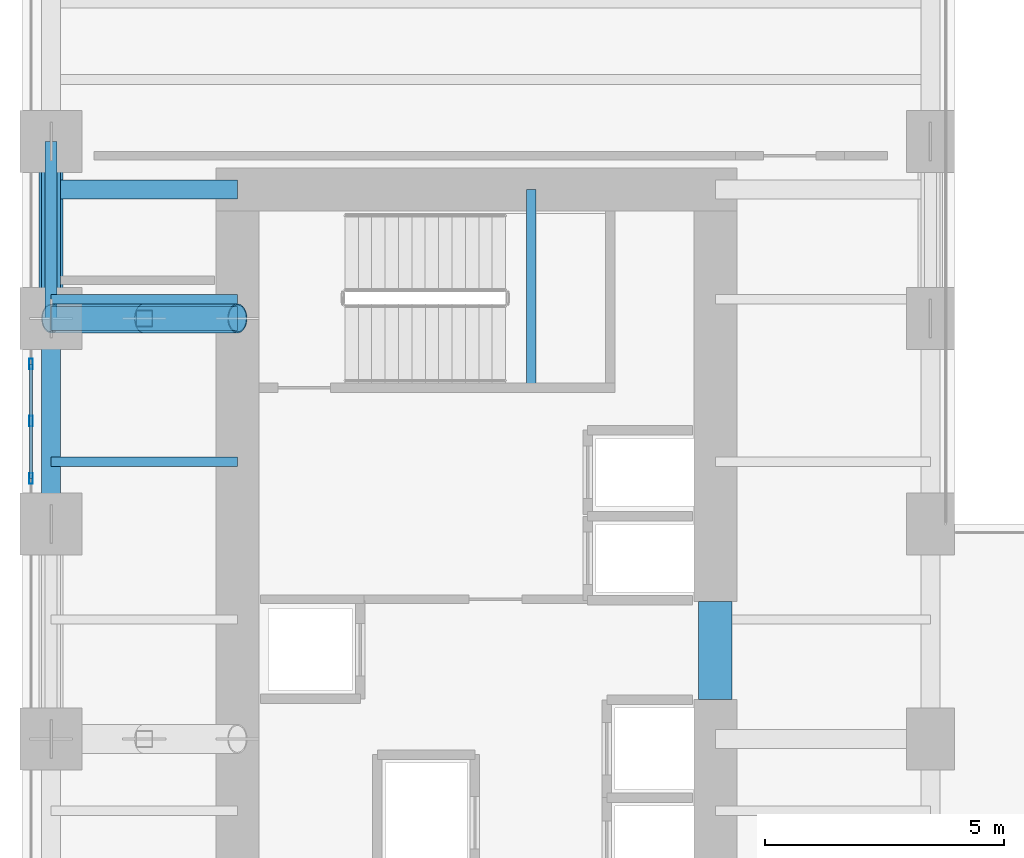
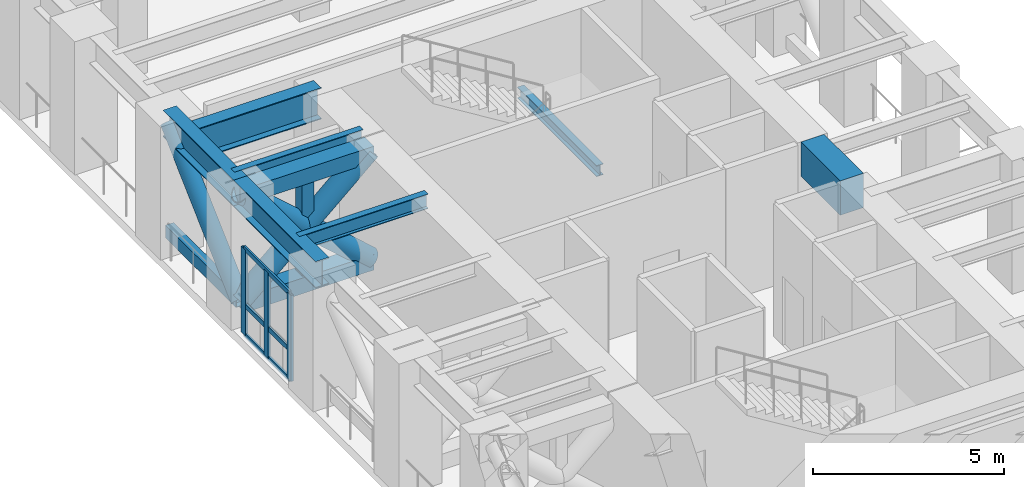
# One storey, part 4 of 16: 14 members, 7 beams, 1 element without a shape of its own.
"""IFC4 building model written with IfcOpenShell, lengths in metres."""

import ifcopenshell
import ifcopenshell.guid

model = None  # the IFC model being written
_history = None  # IfcOwnerHistory: only IFC2X3 demands one
_inside = {}  # id of a spatial element -> (the spatial element, [elements in it])
_under = {}  # id of a project, library or spatial element -> (it, [spatial elements below it])
_declared = {}  # id of a project -> (the project, [libraries it declares])
_typed = {}  # id of a type object -> (the type object, [elements of that type])
_made_of = {}  # id of a material, layer set ... -> (it, [elements and type objects made of it])


def new_model(schema):
    """Start an empty IFC model of exactly this schema.

    Asked for "IFC4X3", IfcOpenShell would pick the latest addendum, in which some entities
    have other attributes; the version numbers below select the first issue.
    IFC2X3 requires an IfcOwnerHistory on every rooted entity: one is made here for all.
    """
    global model, _history
    if schema == "IFC4X3":
        model = ifcopenshell.file(schema_version=(4, 3, 0, 0))
    else:
        model = ifcopenshell.file(schema=schema)
    _inside.clear()
    _under.clear()
    _declared.clear()
    _typed.clear()
    _made_of.clear()
    _history = None
    if model.schema == "IFC2X3":
        org = make("IfcOrganization", Name="unknown")
        user = make(
            "IfcPersonAndOrganization",
            ThePerson=make("IfcPerson", FamilyName="unknown"),
            TheOrganization=org,
        )
        app = make(
            "IfcApplication",
            ApplicationDeveloper=org,
            Version="unknown",
            ApplicationFullName="unknown",
            ApplicationIdentifier="unknown",
        )
        _history = make(
            "IfcOwnerHistory",
            OwningUser=user,
            OwningApplication=app,
            ChangeAction="ADDED",
            CreationDate=0,
        )
    return model


def make(cls, **values):
    """One entity of the class cls with the attributes given. An attribute that is None is left unset."""
    return model.create_entity(
        cls, **{name: value for name, value in values.items() if value is not None}
    )


def rooted(cls, **values):
    """An entity with a GlobalId (a new one), such as an element, a storey or a relation."""
    return make(cls, GlobalId=ifcopenshell.guid.new(), OwnerHistory=_history, **values)


def si_unit(unit_type, name, prefix=None):
    """IfcSIUnit, for example si_unit("LENGTHUNIT", "METRE", prefix="MILLI")."""
    return make("IfcSIUnit", UnitType=unit_type, Prefix=prefix, Name=name)


def assignment(units):
    """IfcUnitAssignment: the units of a project."""
    return None if units is None else make("IfcUnitAssignment", Units=units)


def point(xyz):
    """IfcCartesianPoint."""
    return None if xyz is None else make("IfcCartesianPoint", Coordinates=xyz)


def direction(xyz):
    """IfcDirection."""
    return None if xyz is None else make("IfcDirection", DirectionRatios=xyz)


def frame(location, z_axis=None, x_axis=None):
    """IfcAxis2Placement3D, a coordinate frame: its origin and axes. An axis left out is left unset."""
    return make(
        "IfcAxis2Placement3D",
        Location=point(location),
        Axis=direction(z_axis),
        RefDirection=direction(x_axis),
    )


def frame_2d(location, x_axis=None):
    """IfcAxis2Placement2D, a coordinate frame in the plane: its origin and x axis."""
    return make(
        "IfcAxis2Placement2D", Location=point(location), RefDirection=direction(x_axis)
    )


def origin():
    """The frame at (0, 0, 0) with its axes left unset."""
    return frame((0.0, 0.0, 0.0))


def origin_2d():
    """The frame at (0, 0) in the plane with its x axis left unset."""
    return frame_2d((0.0, 0.0))


def place(relative_to, where):
    """IfcLocalPlacement: puts the frame where relative to a parent placement (None: the world)."""
    return make(
        "IfcLocalPlacement", PlacementRelTo=relative_to, RelativePlacement=where
    )


def context(
    kind, dimensions, precision=None, world=None, true_north=None, identifier=None
):
    """IfcGeometricRepresentationContext, for example the 3D "Model" context."""
    return make(
        "IfcGeometricRepresentationContext",
        ContextIdentifier=identifier,
        ContextType=kind,
        CoordinateSpaceDimension=dimensions,
        Precision=precision,
        WorldCoordinateSystem=world,
        TrueNorth=true_north,
    )


def subcontext(parent, identifier, kind, view, scale=None):
    """IfcGeometricRepresentationSubContext, for example "Body" below "Model"."""
    return make(
        "IfcGeometricRepresentationSubContext",
        ContextIdentifier=identifier,
        ContextType=kind,
        ParentContext=parent,
        TargetScale=scale,
        TargetView=view,
    )


def project(units=None, contexts=None):
    """IfcProject with its units and contexts."""
    return rooted(
        "IfcProject",
        Name="project",
        RepresentationContexts=contexts,
        UnitsInContext=assignment(units),
    )


def spatial(cls, under=None, at=None, **own):
    """A site, building, storey or space (cls), placed at a placement, below another one or the project."""
    s = rooted(cls, ObjectPlacement=at, **own)
    if under is not None:
        _under.setdefault(under.id(), (under, []))[1].append(s)
    return s


def profile(cls, at=None, kind="AREA", **sizes):
    """A parametric profile (cls). Its sizes go by their IFC names, for example OverallWidth=200.0."""
    return make(cls, ProfileType=kind, Position=at, **sizes)


def rectangle(**sizes):
    """IfcRectangleProfileDef."""
    return profile("IfcRectangleProfileDef", **sizes)


def hollow_rectangle(**sizes):
    """IfcRectangleHollowProfileDef."""
    return profile("IfcRectangleHollowProfileDef", **sizes)


def hollow_circle(**sizes):
    """IfcCircleHollowProfileDef."""
    return profile("IfcCircleHollowProfileDef", **sizes)


def i_section(**sizes):
    """IfcIShapeProfileDef."""
    return profile("IfcIShapeProfileDef", **sizes)


def extrude(swept, where, along, depth):
    """IfcExtrudedAreaSolid: the profile swept, set in the frame where, extruded along a direction by depth."""
    return make(
        "IfcExtrudedAreaSolid",
        SweptArea=swept,
        Position=where,
        ExtrudedDirection=direction(along),
        Depth=depth,
    )


def shape(context_of_items, identifier, shape_type, items):
    """IfcShapeRepresentation: the items that make up one representation, for example the "Body"."""
    return make(
        "IfcShapeRepresentation",
        ContextOfItems=context_of_items,
        RepresentationIdentifier=identifier,
        RepresentationType=shape_type,
        Items=items,
    )


def source(mapping_origin, context_of_items, identifier, shape_type, items):
    """IfcRepresentationMap: a shape defined once, which mapped items show again and again."""
    return make(
        "IfcRepresentationMap",
        MappingOrigin=mapping_origin,
        MappedRepresentation=shape(context_of_items, identifier, shape_type, items),
    )


def transform(
    local_origin,
    x_axis=None,
    y_axis=None,
    z_axis=None,
    scale=None,
    scale2=None,
    scale3=None,
    uniform=True,
):
    """IfcCartesianTransformationOperator3D, or its non-uniform kind. x_axis, y_axis, z_axis: its Axis1, 2, 3."""
    if uniform:
        return make(
            "IfcCartesianTransformationOperator3D",
            Axis1=direction(x_axis),
            Axis2=direction(y_axis),
            LocalOrigin=point(local_origin),
            Scale=scale,
            Axis3=direction(z_axis),
        )
    return make(
        "IfcCartesianTransformationOperator3DnonUniform",
        Axis1=direction(x_axis),
        Axis2=direction(y_axis),
        LocalOrigin=point(local_origin),
        Scale=scale,
        Axis3=direction(z_axis),
        Scale2=scale2,
        Scale3=scale3,
    )


def mapped(mapping_source, mapping_target):
    """IfcMappedItem: shows the shape of a source again, moved by a transform."""
    return make(
        "IfcMappedItem", MappingSource=mapping_source, MappingTarget=mapping_target
    )


def material(Name=None, Category=None):
    """IfcMaterial."""
    return make("IfcMaterial", Name=Name, Category=Category)


def layer(
    of_material, thickness, ventilated=None, Name=None, Category=None, Priority=None
):
    """IfcMaterialLayer: one layer of a wall or slab, of a material (None: an air gap)."""
    return make(
        "IfcMaterialLayer",
        Material=of_material,
        LayerThickness=thickness,
        IsVentilated=ventilated,
        Name=Name,
        Category=Category,
        Priority=Priority,
    )


def layer_set(layers, Name=None):
    """IfcMaterialLayerSet."""
    return make("IfcMaterialLayerSet", MaterialLayers=layers, LayerSetName=Name)


def material_profile(
    of_material, cross_section, Name=None, Category=None, Priority=None
):
    """IfcMaterialProfile: a cross section and its material."""
    return make(
        "IfcMaterialProfile",
        Name=Name,
        Material=of_material,
        Profile=cross_section,
        Priority=Priority,
        Category=Category,
    )


def profile_set(profiles, Name=None, composite=None):
    """IfcMaterialProfileSet."""
    return make(
        "IfcMaterialProfileSet",
        Name=Name,
        MaterialProfiles=profiles,
        CompositeProfile=composite,
    )


def made_of(thing, what):
    """Note that an element or type object is made of a material, layer set ...; save() writes the relation."""
    if what is not None:
        _made_of.setdefault(what.id(), (what, []))[1].append(thing)
    return thing


def type_object(cls, material=None, **own):
    """A type object (cls), such as IfcWallType, which elements share."""
    return made_of(rooted(cls, **own), material)


def element(
    cls,
    number,
    at=None,
    inside=None,
    cuts=None,
    type_object=None,
    material=None,
    context=None,
    identifier="Body",
    shape_type=None,
    held_by="IfcProductDefinitionShape",
    body=None,
    shapes=None,
    **own,
):
    """One element of the class cls, such as IfcWall. Its Tag is "e" and its number.

    at: its placement. inside: the storey or other place that contains it. cuts: it is an
    opening in that element (IfcRelVoidsElement). A single representation is given by context,
    identifier, shape_type and body (its items); several are given by shapes. held_by: the class
    of the entity that holds the representations. save() writes the other relations.
    """
    e = rooted(cls, Tag="e%d" % number, ObjectPlacement=at, **own)
    if body is not None:
        shapes = [shape(context, identifier, shape_type, body)]
    if shapes is not None:
        e.Representation = make(held_by, Representations=shapes)
    if inside is not None:
        _inside.setdefault(inside.id(), (inside, []))[1].append(e)
    if cuts is not None:
        rooted(
            "IfcRelVoidsElement", RelatingBuildingElement=cuts, RelatedOpeningElement=e
        )
    if type_object is not None:
        _typed.setdefault(type_object.id(), (type_object, []))[1].append(e)
    return made_of(e, material)


def aggregate(whole, parts):
    """IfcRelAggregates: a whole, such as a stair, and the parts it consists of."""
    return rooted("IfcRelAggregates", RelatingObject=whole, RelatedObjects=parts)


def save(model, path):
    """Write the relations noted so far, then the file.

    IfcRelAggregates (storeys below a building ...), IfcRelContainedInSpatialStructure (elements
    in a storey), IfcRelDefinesByType, IfcRelAssociatesMaterial and IfcRelDeclares: one each for
    every whole, place, type object, material and project.
    """
    for whole, parts in _under.values():
        aggregate(whole, parts)
    for where, things in _inside.values():
        rooted(
            "IfcRelContainedInSpatialStructure",
            RelatedElements=things,
            RelatingStructure=where,
        )
    for kind, things in _typed.values():
        rooted("IfcRelDefinesByType", RelatedObjects=things, RelatingType=kind)
    for what, things in _made_of.values():
        rooted("IfcRelAssociatesMaterial", RelatedObjects=things, RelatingMaterial=what)
    for by, libraries in _declared.values():
        rooted("IfcRelDeclares", RelatingContext=by, RelatedDefinitions=libraries)
    model.write(path)


model = new_model("IFC4")

# Units and contexts
model_context = context("Model", 3, precision=1e-05, world=origin(), true_north=direction((0.0, 1.0)))
body_context = subcontext(model_context, "Body", "Model", "MODEL_VIEW")
ifc_project = project(units=[si_unit("LENGTHUNIT", "METRE"), si_unit("AREAUNIT", "SQUARE_METRE"), si_unit("VOLUMEUNIT", "CUBIC_METRE"), si_unit("PLANEANGLEUNIT", "RADIAN"), si_unit("MASSUNIT", "GRAM", prefix="KILO")], contexts=[model_context])

# Site, building, storey
site_placement = place(None, origin())
site = spatial("IfcSite", under=ifc_project, at=site_placement, CompositionType="ELEMENT")
building_placement = place(site_placement, origin())
building = spatial("IfcBuilding", under=site, at=building_placement, Name="Kharzan Plaza Tower", CompositionType="ELEMENT")
storey_placement = place(building_placement, frame((0.0, 0.0, 72.89990234375)))
storey = spatial("IfcBuildingStorey", under=building, at=storey_placement, Name="L19", CompositionType="ELEMENT", Elevation=72.89990234375)

# Beams
ifc_material_1 = material(Name="Concrete C60/75", Category="concrete")
ifc_material_profile_1 = material_profile(ifc_material_1, rectangle(XDim=0.699951171875, YDim=1.10009765625, at=origin_2d()), Name="RC-CB1100x700")
ifc_profile_set_1 = profile_set([ifc_material_profile_1], Name="Concrete C60/75")
beam_type_1 = type_object("IfcBeamType", Name="BM-RCCB1100", PredefinedType="LINTEL", material=ifc_profile_set_1)
shared_shape_1 = source(origin(), body_context, "Body", "SweptSolid", [
    extrude(rectangle(XDim=0.699951171875, YDim=1.10009765625, at=origin_2d()), origin(), (0.0, 0.0, 1.0), 2.059814453125),
])
beam_1_placement = place(storey_placement, frame((14.5, 18.820068359375, 3.710205078125), z_axis=(0.0, 1.0, 0.0), x_axis=(-1.0, 0.0, 0.0)))
element("IfcBeam", 1, at=beam_1_placement, inside=storey, type_object=beam_type_1, Name="L19 CORE-A RC coupling beam CB1", PredefinedType="LINTEL", context=body_context, shape_type="MappedRepresentation", body=[
    mapped(shared_shape_1, transform((0.0, 0.0, 0.0), x_axis=(1.0, 0.0, 0.0), y_axis=(0.0, 1.0, 0.0), z_axis=(0.0, 0.0, 1.0))),
])
ifc_material_2 = material(Name="Steel S355", Category="steel")
ifc_material_profile_2 = material_profile(ifc_material_2, i_section(OverallWidth=0.205078125, OverallDepth=0.35400390625, WebThickness=0.009521484375, FlangeThickness=0.016845703125, at=origin_2d()), Name="W360x79")
ifc_profile_set_2 = profile_set([ifc_material_profile_2], Name="Steel S355")
beam_type_2 = type_object("IfcBeamType", Name="BM-LNT360", PredefinedType="LINTEL", material=ifc_profile_set_2)
shared_shape_2 = source(origin(), body_context, "Body", "SweptSolid", [
    extrude(i_section(OverallWidth=0.205078125, OverallDepth=0.35400390625, WebThickness=0.009521484375, FlangeThickness=0.016845703125, at=origin_2d()), origin(), (0.0, 0.0, 1.0), 4.155029296875),
])
beam_2_placement = place(storey_placement, frame((10.64990234375, 25.344970703125, 1.873046875), z_axis=(0.0, 1.0, 0.0), x_axis=(-1.0, 0.0, 0.0)))
element("IfcBeam", 2, at=beam_2_placement, inside=storey, type_object=beam_type_2, Name="L19 Stair ST-2 Half-Landing Beam", PredefinedType="LINTEL", context=body_context, shape_type="MappedRepresentation", body=[
    mapped(shared_shape_2, transform((0.0, 0.0, 0.0), x_axis=(1.0, 0.0, 0.0), y_axis=(0.0, 1.0, 0.0), z_axis=(0.0, 0.0, 1.0))),
])
ifc_material_profile_3 = material_profile(ifc_material_2, i_section(OverallWidth=0.194091796875, OverallDepth=0.468994140625, WebThickness=0.011474609375, FlangeThickness=0.0205078125, at=origin_2d()), Name="W460x106")
ifc_profile_set_3 = profile_set([ifc_material_profile_3], Name="Steel S355")
beam_type_3 = type_object("IfcBeamType", Name="BM-JST460", PredefinedType="JOIST", material=ifc_profile_set_3)
shared_shape_3 = source(origin(), body_context, "Body", "SweptSolid", [
    extrude(i_section(OverallWidth=0.194091796875, OverallDepth=0.468994140625, WebThickness=0.011474609375, FlangeThickness=0.0205078125, at=origin_2d()), origin(), (0.0, 0.0, 1.0), 3.89990234375),
])
for number, where, z_axis, x_axis, name in (
    (3, (0.60009765625, 23.800048828125, 4.025634765625), (1.0, 0.0, 0.0), (0.0, 1.0, 0.0), "L19 Wing A West Infill Joist 5"),
    (4, (0.60009765625, 27.199951171875, 4.025634765625), (1.0, 0.0, 0.0), (0.0, 1.0, 0.0), "L19 Wing A West Infill Joist 6"),
):
    element("IfcBeam", number, at=place(storey_placement, frame(where, z_axis=z_axis, x_axis=x_axis)), inside=storey, type_object=beam_type_3, Name=name, PredefinedType="JOIST", context=body_context, shape_type="MappedRepresentation", body=[
        mapped(shared_shape_3, transform((0.0, 0.0, 0.0), x_axis=(1.0, 0.0, 0.0), y_axis=(0.0, 1.0, 0.0), z_axis=(0.0, 0.0, 1.0))),
    ])
ifc_material_profile_4 = material_profile(ifc_material_2, i_section(OverallWidth=0.40087890625, OverallDepth=0.85498046875, WebThickness=0.018310546875, FlangeThickness=0.029296875, at=origin_2d()), Name="W840x299")
ifc_profile_set_4 = profile_set([ifc_material_profile_4], Name="Steel S355")
beam_type_4 = type_object("IfcBeamType", Name="BM-SP840A", PredefinedType="SPANDREL", material=ifc_profile_set_4)
shared_shape_4 = source(origin(), body_context, "Body", "SweptSolid", [
    extrude(i_section(OverallWidth=0.40087890625, OverallDepth=0.85498046875, WebThickness=0.018310546875, FlangeThickness=0.029296875, at=origin_2d()), origin(), (0.0, 0.0, 1.0), 4.300048828125),
])
beam_3_placement = place(storey_placement, frame((0.60009765625, 22.5, 3.83251953125), z_axis=(0.0, 1.0, 0.0), x_axis=(-1.0, 0.0, 0.0)))
element("IfcBeam", 5, at=beam_3_placement, inside=storey, type_object=beam_type_4, Name="L19 Perimeter Tube Spandrel", PredefinedType="SPANDREL", context=body_context, shape_type="MappedRepresentation", body=[
    mapped(shared_shape_4, transform((0.0, 0.0, 0.0), x_axis=(1.0, 0.0, 0.0), y_axis=(0.0, 1.0, 0.0), z_axis=(0.0, 0.0, 1.0))),
])
shared_shape_5 = source(origin(), body_context, "Body", "SweptSolid", [
    extrude(i_section(OverallWidth=0.40087890625, OverallDepth=0.85498046875, WebThickness=0.018310546875, FlangeThickness=0.029296875, at=origin_2d()), origin(), (0.0, 0.0, 1.0), 3.699951171875),
])
beam_4_placement = place(storey_placement, frame((0.60009765625, 26.800048828125, 3.83251953125), z_axis=(0.0, 1.0, 0.0), x_axis=(-1.0, 0.0, 0.0)))
element("IfcBeam", 6, at=beam_4_placement, inside=storey, type_object=beam_type_4, Name="L19 Perimeter Tube Spandrel", PredefinedType="SPANDREL", context=body_context, shape_type="MappedRepresentation", body=[
    mapped(shared_shape_5, transform((0.0, 0.0, 0.0), x_axis=(1.0, 0.0, 0.0), y_axis=(0.0, 1.0, 0.0), z_axis=(0.0, 0.0, 1.0))),
])

# Curtain wall, members
ifc_material_3 = material(Name="Unitised Bronze-Anodized Aluminium and Low-E Glass", Category="aluminium")
ifc_layer = layer(ifc_material_3, 0.199951171875)
ifc_layer_set = layer_set([ifc_layer], Name="Unitised Bronze-Anodized Aluminium and Low-E Glass")
curtain_wall_type = type_object("IfcCurtainWallType", Name="CW-SKY-4", PredefinedType="NOTDEFINED", material=ifc_layer_set)
curtain_wall_placement = place(storey_placement, origin())
curtain_wall = element("IfcCurtainWall", 7, at=curtain_wall_placement, inside=storey, type_object=curtain_wall_type, Name="L19 Sky-Lobby and Transfer Zone Feature Curtain Wall", PredefinedType="NOTDEFINED")
ifc_material_4 = material(Name="Anodized Bronze Aluminium", Category="aluminium")
ifc_material_profile_5 = material_profile(ifc_material_4, hollow_rectangle(XDim=0.06005859375, YDim=0.14990234375, WallThickness=0.00341796875, at=origin_2d()), Name="ALU-T150x60x3.5")
ifc_profile_set_5 = profile_set([ifc_material_profile_5], Name="Anodized Bronze Aluminium")
member_type_1 = type_object("IfcMemberType", Name="MEM-CW-TRN150", PredefinedType="USERDEFINED", material=ifc_profile_set_5)
shared_shape_6 = source(origin(), body_context, "Body", "SweptSolid", [
    extrude(hollow_rectangle(XDim=0.06005859375, YDim=0.14990234375, WallThickness=0.00341796875, at=origin_2d()), origin(), (0.0, 0.0, 1.0), 2.400146484375),
])
member_1_placement = place(storey_placement, frame((0.179931640625, 23.449951171875, 0.0), z_axis=(0.0, 1.0, 0.0), x_axis=(-1.0, 0.0, 0.0)))
member_1 = element("IfcMember", 8, at=member_1_placement, type_object=member_type_1, Name="L19 Curtain-Wall Transom 1", ObjectType="TRANSOM", PredefinedType="USERDEFINED", context=body_context, shape_type="MappedRepresentation", body=[
    mapped(shared_shape_6, transform((0.0, 0.0, 0.0), x_axis=(1.0, 0.0, 0.0), y_axis=(0.0, 1.0, 0.0), z_axis=(0.0, 0.0, 1.0))),
])
member_2_placement = place(storey_placement, frame((0.179931640625, 23.449951171875, 0.9501953125), z_axis=(0.0, 1.0, 0.0), x_axis=(-1.0, 0.0, 0.0)))
member_2 = element("IfcMember", 9, at=member_2_placement, type_object=member_type_1, Name="L19 Curtain-Wall Transom 2", ObjectType="TRANSOM", PredefinedType="USERDEFINED", context=body_context, shape_type="MappedRepresentation", body=[
    mapped(shared_shape_6, transform((0.0, 0.0, 0.0), x_axis=(1.0, 0.0, 0.0), y_axis=(0.0, 1.0, 0.0), z_axis=(0.0, 0.0, 1.0))),
])
member_3_placement = place(storey_placement, frame((0.179931640625, 23.449951171875, 2.75), z_axis=(0.0, 1.0, 0.0), x_axis=(-1.0, 0.0, 0.0)))
member_3 = element("IfcMember", 10, at=member_3_placement, type_object=member_type_1, Name="L19 Curtain-Wall Transom 3", ObjectType="TRANSOM", PredefinedType="USERDEFINED", context=body_context, shape_type="MappedRepresentation", body=[
    mapped(shared_shape_6, transform((0.0, 0.0, 0.0), x_axis=(1.0, 0.0, 0.0), y_axis=(0.0, 1.0, 0.0), z_axis=(0.0, 0.0, 1.0))),
])

# Beam
ifc_material_profile_6 = material_profile(ifc_material_2, i_section(OverallWidth=0.39794921875, OverallDepth=1.0, WebThickness=0.017578125, FlangeThickness=0.02880859375, at=origin_2d()), Name="W1000x321")
ifc_profile_set_6 = profile_set([ifc_material_profile_6], Name="Steel S355")
beam_type_5 = type_object("IfcBeamType", Name="BM-PG1000B", PredefinedType="BEAM", material=ifc_profile_set_6)
shared_shape_7 = source(origin(), body_context, "Body", "SweptSolid", [
    extrude(i_section(OverallWidth=0.39794921875, OverallDepth=1.0, WebThickness=0.017578125, FlangeThickness=0.02880859375, at=origin_2d()), origin(), (0.0, 0.0, 1.0), 3.89990234375),
])
beam_5_placement = place(storey_placement, frame((0.60009765625, 29.5, 3.760009765625), z_axis=(1.0, 0.0, 0.0), x_axis=(0.0, 1.0, 0.0)))
element("IfcBeam", 11, at=beam_5_placement, inside=storey, type_object=beam_type_5, Name="L19 Core-A West Floor Girder 3", PredefinedType="BEAM", context=body_context, shape_type="MappedRepresentation", body=[
    mapped(shared_shape_7, transform((0.0, 0.0, 0.0), x_axis=(1.0, 0.0, 0.0), y_axis=(0.0, 1.0, 0.0), z_axis=(0.0, 0.0, 1.0))),
])

# Members
ifc_material_profile_7 = material_profile(ifc_material_2, hollow_rectangle(XDim=0.25, YDim=0.39990234375, WallThickness=0.01611328125, at=origin_2d()), Name="RHS400x250x16")
ifc_profile_set_7 = profile_set([ifc_material_profile_7], Name="Steel S355")
member_type_2 = type_object("IfcMemberType", Name="MEM-BT-CHORD", PredefinedType="CHORD", material=ifc_profile_set_7)
shared_shape_8 = source(origin(), body_context, "Body", "SweptSolid", [
    extrude(hollow_rectangle(XDim=0.25, YDim=0.39990234375, WallThickness=0.01611328125, at=origin_2d()), origin(), (0.0, 0.0, 1.0), 3.699951171875),
])
member_4_placement = place(storey_placement, frame((0.60009765625, 26.800048828125, 0.35009765625), z_axis=(0.0, 1.0, 0.0), x_axis=(-1.0, 0.0, 0.0)))
element("IfcMember", 12, at=member_4_placement, inside=storey, type_object=member_type_2, Name="L19 Belt Truss Bottom Chord BTW-4", PredefinedType="CHORD", context=body_context, shape_type="MappedRepresentation", body=[
    mapped(shared_shape_8, transform((0.0, 0.0, 0.0), x_axis=(1.0, 0.0, 0.0), y_axis=(0.0, 1.0, 0.0), z_axis=(0.0, 0.0, 1.0))),
])
ifc_material_profile_8 = material_profile(ifc_material_2, hollow_circle(Radius=0.25390625, WallThickness=0.02001953125, at=origin_2d()), Name="CHS508x20")
ifc_profile_set_8 = profile_set([ifc_material_profile_8], Name="Steel S355")
member_type_3 = type_object("IfcMemberType", Name="MEM-BT-DIAG", PredefinedType="BRACE", material=ifc_profile_set_8)
shared_shape_9 = source(origin(), body_context, "Body", "SweptSolid", [
    extrude(hollow_circle(Radius=0.25390625, WallThickness=0.02001953125, at=origin_2d()), origin(), (0.0, 0.0, 1.0), 5.065673828125),
])
member_5_placement = place(storey_placement, frame((0.60009765625, 26.800048828125, 0.35009765625), z_axis=(0.0, 0.730397826417, 0.683021972681), x_axis=(-1.0, 0.0, 0.0)))
element("IfcMember", 13, at=member_5_placement, inside=storey, type_object=member_type_3, Name="L19 Belt Truss Diagonal BTW-4", PredefinedType="BRACE", context=body_context, shape_type="MappedRepresentation", body=[
    mapped(shared_shape_9, transform((0.0, 0.0, 0.0), x_axis=(1.0, 0.0, 0.0), y_axis=(0.0, 1.0, 0.0), z_axis=(0.0, 0.0, 1.0))),
])

# Member
ifc_material_profile_9 = material_profile(ifc_material_4, hollow_rectangle(XDim=0.074951171875, YDim=0.219970703125, WallThickness=0.00390625, at=origin_2d()), Name="ALU-M220x75x4")
ifc_profile_set_9 = profile_set([ifc_material_profile_9], Name="Anodized Bronze Aluminium")
member_type_4 = type_object("IfcMemberType", Name="MEM-CW-MUL200", PredefinedType="MULLION", material=ifc_profile_set_9)
shared_shape_10 = source(origin(), body_context, "Body", "SweptSolid", [
    extrude(hollow_rectangle(XDim=0.074951171875, YDim=0.219970703125, WallThickness=0.00390625, at=origin_2d()), origin(), (0.0, 0.0, 1.0), 2.75),
])
member_6_placement = place(storey_placement, frame((0.179931640625, 23.449951171875, 0.0), z_axis=(0.0, 0.0, 1.0), x_axis=(1.0, 0.0, 0.0)))
member_6 = element("IfcMember", 14, at=member_6_placement, type_object=member_type_4, Name="L19 Curtain-Wall Mullion 00", PredefinedType="MULLION", context=body_context, shape_type="MappedRepresentation", body=[
    mapped(shared_shape_10, transform((0.0, 0.0, 0.0), x_axis=(1.0, 0.0, 0.0), y_axis=(0.0, 1.0, 0.0), z_axis=(0.0, 0.0, 1.0))),
])

member_7_placement = place(storey_placement, frame((0.179931640625, 24.64990234375, 0.0), z_axis=(0.0, 0.0, 1.0), x_axis=(1.0, 0.0, 0.0)))
member_7 = element("IfcMember", 15, at=member_7_placement, type_object=member_type_4, Name="L19 Curtain-Wall Mullion 01", PredefinedType="MULLION", context=body_context, shape_type="MappedRepresentation", body=[
    mapped(shared_shape_10, transform((0.0, 0.0, 0.0), x_axis=(1.0, 0.0, 0.0), y_axis=(0.0, 1.0, 0.0), z_axis=(0.0, 0.0, 1.0))),
])

member_8_placement = place(storey_placement, frame((0.179931640625, 25.85009765625, 0.0), z_axis=(0.0, 0.0, 1.0), x_axis=(1.0, 0.0, 0.0)))
member_8 = element("IfcMember", 16, at=member_8_placement, type_object=member_type_4, Name="L19 Curtain-Wall Mullion 02", PredefinedType="MULLION", context=body_context, shape_type="MappedRepresentation", body=[
    mapped(shared_shape_10, transform((0.0, 0.0, 0.0), x_axis=(1.0, 0.0, 0.0), y_axis=(0.0, 1.0, 0.0), z_axis=(0.0, 0.0, 1.0))),
])

aggregate(curtain_wall, [member_6, member_7, member_8, member_1, member_2, member_3])

# Members
ifc_material_profile_10 = material_profile(ifc_material_2, hollow_rectangle(XDim=0.5, YDim=0.5, WallThickness=0.02490234375, at=origin_2d()), Name="SHS500x500x25")
ifc_profile_set_10 = profile_set([ifc_material_profile_10], Name="Steel S355")
member_type_5 = type_object("IfcMemberType", Name="MEM-OT-CHORD", PredefinedType="CHORD", material=ifc_profile_set_10)
shared_shape_11 = source(origin(), body_context, "Body", "SweptSolid", [
    extrude(hollow_rectangle(XDim=0.5, YDim=0.5, WallThickness=0.02490234375, at=origin_2d()), origin(), (0.0, 0.0, 1.0), 3.89990234375),
])
for number, where, z_axis, x_axis, name in (
    (17, (4.5, 26.800048828125, 0.35009765625), (-1.0, 0.0, 0.0), (0.0, -1.0, 0.0), "L19 Outrigger Truss Bottom Chord OTA-E2"),
    (18, (4.5, 26.800048828125, 3.81005859375), (-1.0, 0.0, 0.0), (0.0, -1.0, 0.0), "L19 Outrigger Truss Top Chord OTA-E2"),
):
    element("IfcMember", number, at=place(storey_placement, frame(where, z_axis=z_axis, x_axis=x_axis)), inside=storey, type_object=member_type_5, Name=name, PredefinedType="CHORD", context=body_context, shape_type="MappedRepresentation", body=[
        mapped(shared_shape_11, transform((0.0, 0.0, 0.0), x_axis=(1.0, 0.0, 0.0), y_axis=(0.0, 1.0, 0.0), z_axis=(0.0, 0.0, 1.0))),
    ])
ifc_material_profile_11 = material_profile(ifc_material_2, hollow_circle(Radius=0.304931640625, WallThickness=0.02490234375, at=origin_2d()), Name="CHS610x25")
ifc_profile_set_11 = profile_set([ifc_material_profile_11], Name="Steel S355")
member_type_6 = type_object("IfcMemberType", Name="MEM-OT-DIAG", PredefinedType="BRACE", material=ifc_profile_set_11)
shared_shape_12 = source(origin(), body_context, "Body", "SweptSolid", [
    extrude(hollow_circle(Radius=0.304931640625, WallThickness=0.02490234375, at=origin_2d()), origin(), (0.0, 0.0, 1.0), 5.21337890625),
])
member_9_placement = place(storey_placement, frame((4.5, 26.800048828125, 0.35009765625), z_axis=(-0.748039391484, 0.0, 0.663654329292), x_axis=(0.0, -1.0, 0.0)))
element("IfcMember", 19, at=member_9_placement, inside=storey, type_object=member_type_6, Name="L19 Outrigger Truss Diagonal OTA-E2-1", PredefinedType="BRACE", context=body_context, shape_type="MappedRepresentation", body=[
    mapped(shared_shape_12, transform((0.0, 0.0, 0.0), x_axis=(1.0, 0.0, 0.0), y_axis=(0.0, 1.0, 0.0), z_axis=(0.0, 0.0, 1.0))),
])
shared_shape_13 = source(origin(), body_context, "Body", "SweptSolid", [
    extrude(hollow_circle(Radius=0.304931640625, WallThickness=0.02490234375, at=origin_2d()), origin(), (0.0, 0.0, 1.0), 2.606689453125),
])
for number, where, z_axis, x_axis, name in (
    (20, (4.5, 26.800048828125, 3.81005859375), (-0.748039391484, 0.0, -0.663654329292), (0.0, -1.0, 0.0), "L19 Outrigger Truss Split Diagonal OTA-E2-2A"),
    (21, (2.550048828125, 26.800048828125, 2.080078125), (-0.748039391484, 0.0, -0.663654329292), (0.0, -1.0, 0.0), "L19 Outrigger Truss Split Diagonal OTA-E2-2B"),
):
    element("IfcMember", number, at=place(storey_placement, frame(where, z_axis=z_axis, x_axis=x_axis)), inside=storey, type_object=member_type_6, Name=name, PredefinedType="BRACE", context=body_context, shape_type="MappedRepresentation", body=[
        mapped(shared_shape_13, transform((0.0, 0.0, 0.0), x_axis=(1.0, 0.0, 0.0), y_axis=(0.0, 1.0, 0.0), z_axis=(0.0, 0.0, 1.0))),
    ])
ifc_material_profile_12 = material_profile(ifc_material_2, hollow_rectangle(XDim=0.35009765625, YDim=0.35009765625, WallThickness=0.01611328125, at=origin_2d()), Name="SHS350x350x16")
ifc_profile_set_12 = profile_set([ifc_material_profile_12], Name="Steel S355")
member_type_7 = type_object("IfcMemberType", Name="MEM-OT-POST", PredefinedType="POST", material=ifc_profile_set_12)
shared_shape_14 = source(origin(), body_context, "Body", "SweptSolid", [
    extrude(hollow_rectangle(XDim=0.35009765625, YDim=0.35009765625, WallThickness=0.01611328125, at=origin_2d()), origin(), (0.0, 0.0, 1.0), 3.4599609375),
])
member_10_placement = place(storey_placement, frame((2.550048828125, 26.800048828125, 0.35009765625), z_axis=(0.0, 0.0, 1.0), x_axis=(1.0, 0.0, 0.0)))
element("IfcMember", 22, at=member_10_placement, inside=storey, type_object=member_type_7, Name="L19 Outrigger Truss Web Post OTA-E2", PredefinedType="POST", context=body_context, shape_type="MappedRepresentation", body=[
    mapped(shared_shape_14, transform((0.0, 0.0, 0.0), x_axis=(1.0, 0.0, 0.0), y_axis=(0.0, 1.0, 0.0), z_axis=(0.0, 0.0, 1.0))),
])

save(model, "model.ifc")
